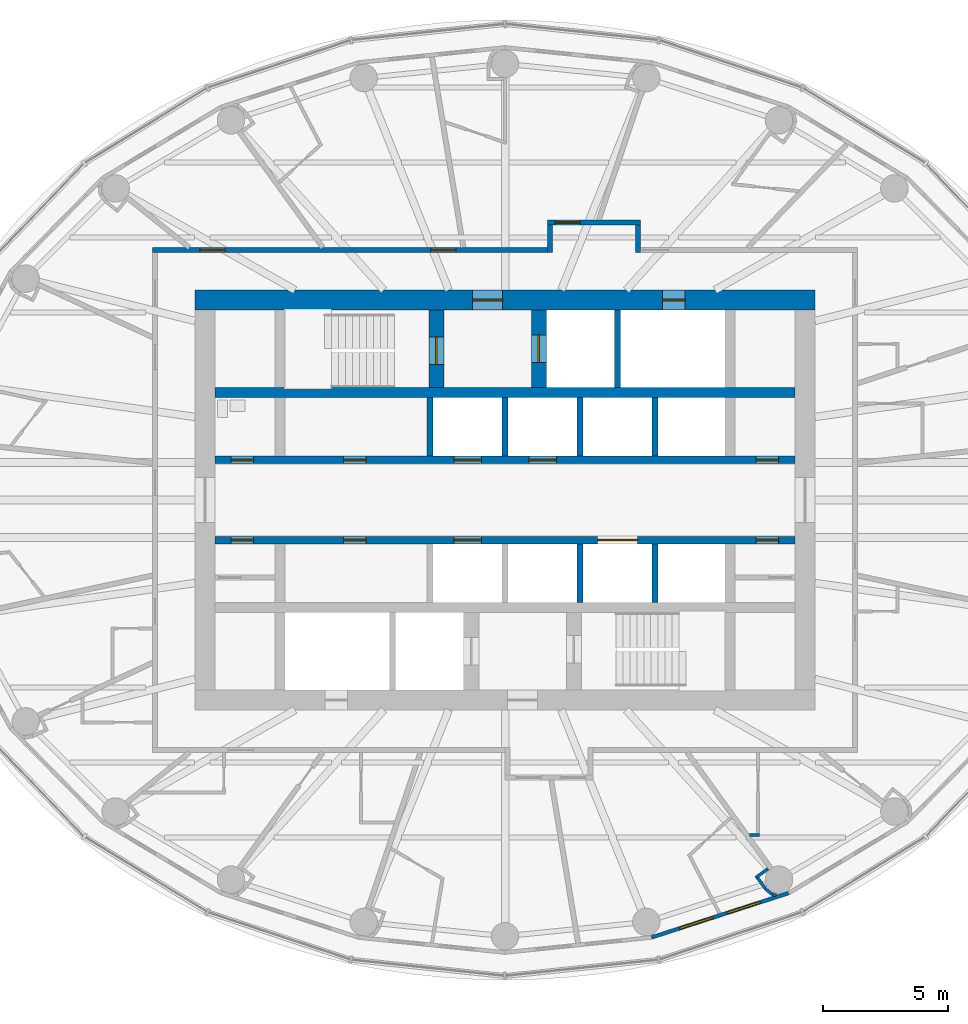
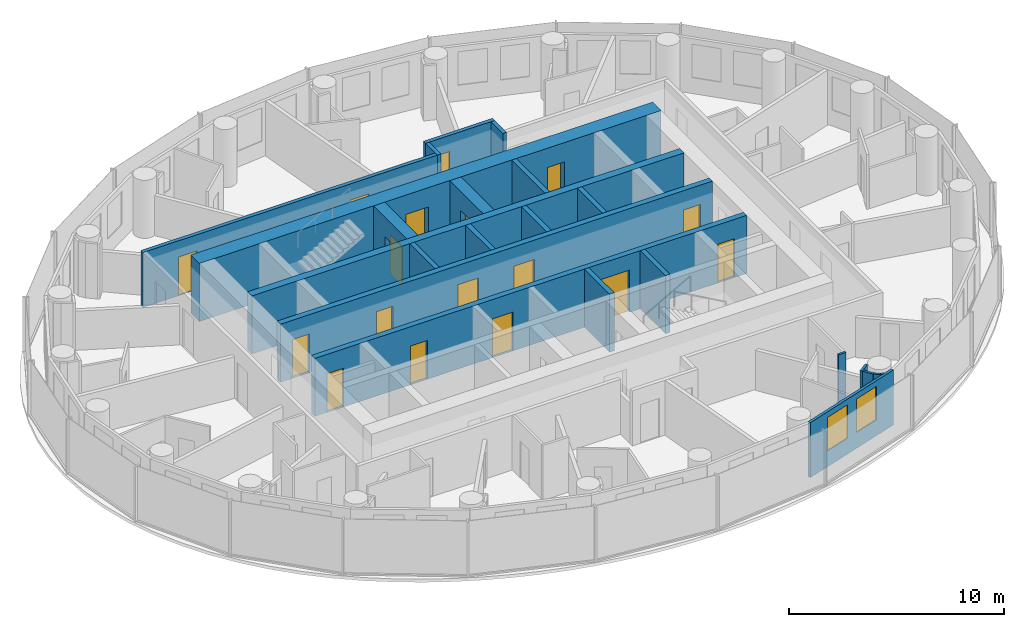
# One storey, part 9 of 14: 23 walls, 17 doors, 2 windows, 19 openings.
"""IFC4 building model written with IfcOpenShell, lengths in metres."""

from ifc_helpers import new_model, si_unit, direction, frame, frame_2d, origin, place, context, subcontext, project, spatial, rectangle, extrude, material, layer, layer_set, type_object, element, fill, save


model = new_model("IFC4")

# Units and contexts
model_context = context("Model", 3, precision=1e-05, world=origin(), true_north=direction((0.0, 1.0)))
body_context = subcontext(model_context, "Body", "Model", "MODEL_VIEW")
ifc_project = project(units=[si_unit("LENGTHUNIT", "METRE"), si_unit("AREAUNIT", "SQUARE_METRE"), si_unit("VOLUMEUNIT", "CUBIC_METRE"), si_unit("PLANEANGLEUNIT", "RADIAN"), si_unit("MASSUNIT", "GRAM", prefix="KILO")], contexts=[model_context])

# Site, building, storey
site_placement = place(None, origin())
site = spatial("IfcSite", under=ifc_project, at=site_placement, CompositionType="ELEMENT")
building_placement = place(site_placement, origin())
building = spatial("IfcBuilding", under=site, at=building_placement, Name="Hankou Lantern Tower", CompositionType="ELEMENT")
storey_placement = place(building_placement, frame((0.0, 0.0, 179.699951171875)))
storey = spatial("IfcBuildingStorey", under=building, at=storey_placement, Name="L48", CompositionType="ELEMENT", Elevation=179.699951171875)

# Wall, openings, doors
ifc_material_1 = material(Name="Concrete C60", Category="concrete")
ifc_layer_1 = layer(ifc_material_1, 0.800048828125)
ifc_layer_set_1 = layer_set([ifc_layer_1], Name="Concrete C60")
wall_type_1 = type_object("IfcWallType", Name="CW2 CORE WALL 800", PredefinedType="SHEAR", material=ifc_layer_set_1)
wall_1_placement = place(storey_placement, frame((-12.39990234375, 8.0, 0.0), z_axis=(0.0, 0.0, 1.0), x_axis=(1.0, 0.0, 0.0)))
wall_1 = element("IfcWall", 1, at=wall_1_placement, inside=storey, type_object=wall_type_1, Name="Core wall north L48", PredefinedType="SHEAR", context=body_context, shape_type="SweptSolid", body=[
    extrude(rectangle(XDim=24.7998046875, YDim=0.800048828125, at=frame_2d((12.39990234375, 0.0))), origin(), (0.0, 0.0, 1.0), 3.300048828125),
])
opening_1_placement = place(wall_1_placement, frame((11.10009765625, 0.0, 0.0)))
opening_1 = element("IfcOpeningElement", 2, at=opening_1_placement, cuts=wall_1, Name="Opening D5", PredefinedType="OPENING", context=body_context, shape_type="SweptSolid", body=[
    extrude(rectangle(XDim=1.199951171875, YDim=2.199951171875, at=frame_2d((0.60009765625, 1.10009765625))), frame((0.0, 0.409912109375, 0.0), z_axis=(0.0, -1.0, 0.0), x_axis=(1.0, 0.0, 0.0)), (0.0, 0.0, 1.0), 0.820068359375),
])
opening_2_placement = place(wall_1_placement, frame((18.699951171875, 0.0, 0.0)))
opening_2 = element("IfcOpeningElement", 3, at=opening_2_placement, cuts=wall_1, Name="Opening D7", PredefinedType="OPENING", context=body_context, shape_type="SweptSolid", body=[
    extrude(rectangle(XDim=0.89990234375, YDim=2.199951171875, at=frame_2d((0.449951171875, 1.10009765625))), frame((0.0, 0.409912109375, 0.0), z_axis=(0.0, -1.0, 0.0), x_axis=(1.0, 0.0, 0.0)), (0.0, 0.0, 1.0), 0.820068359375),
])
ifc_material_2 = material(Name="Steel door leaf", Category="steel")
door_type_1 = type_object("IfcDoorType", Name="D5 STAIR LOBBY DOOR 1200X2200", OperationType="SINGLE_SWING_LEFT", PredefinedType="DOOR", material=ifc_material_2)
door_1_placement = place(opening_1_placement, origin())
door_1 = element("IfcDoor", 4, at=door_1_placement, inside=storey, type_object=door_type_1, Name="Stair A lobby door", OperationType="SINGLE_SWING_LEFT", OverallHeight=2.199951171875, OverallWidth=1.199951171875, PredefinedType="DOOR", context=body_context, shape_type="SweptSolid", body=[
    extrude(rectangle(XDim=1.199951171875, YDim=2.199951171875, at=frame_2d((0.60009765625, 1.10009765625))), frame((0.0, 0.02490234375, 0.0), z_axis=(0.0, -1.0, 0.0), x_axis=(1.0, 0.0, 0.0)), (0.0, 0.0, 1.0), 0.050048828125),
])
fill(opening_1, door_1)
ifc_material_3 = material(Name="Steel door leaf", Category="steel")
door_type_2 = type_object("IfcDoorType", Name="D7 RISER DOOR 900X2200", OperationType="SINGLE_SWING_LEFT", PredefinedType="DOOR", material=ifc_material_3)
door_2_placement = place(opening_2_placement, origin())
door_2 = element("IfcDoor", 5, at=door_2_placement, inside=storey, type_object=door_type_2, Name="Riser N1 door", OperationType="SINGLE_SWING_RIGHT", OverallHeight=2.199951171875, OverallWidth=0.89990234375, PredefinedType="DOOR", context=body_context, shape_type="SweptSolid", body=[
    extrude(rectangle(XDim=0.89990234375, YDim=2.199951171875, at=frame_2d((0.449951171875, 1.10009765625))), frame((0.0, 0.02490234375, 0.0), z_axis=(0.0, -1.0, 0.0), x_axis=(1.0, 0.0, 0.0)), (0.0, 0.0, 1.0), 0.050048828125),
])
fill(opening_2, door_2)

# Wall
ifc_material_4 = material(Name="Concrete C60", Category="concrete")
ifc_layer_2 = layer(ifc_material_4, 0.39990234375)
ifc_layer_set_2 = layer_set([ifc_layer_2], Name="Concrete C60")
wall_type_2 = type_object("IfcWallType", Name="CW4 CORE CROSS WALL 400", PredefinedType="SHEAR", material=ifc_layer_set_2)
wall_2_placement = place(storey_placement, frame((-11.60009765625, 4.300048828125, 0.0), z_axis=(0.0, 0.0, 1.0), x_axis=(1.0, 0.0, 0.0)))
element("IfcWall", 6, at=wall_2_placement, inside=storey, type_object=wall_type_2, Name="Core band wall north L48", PredefinedType="SHEAR", context=body_context, shape_type="SweptSolid", body=[
    extrude(rectangle(XDim=23.2001953125, YDim=0.39990234375, at=frame_2d((11.60009765625, 0.0))), origin(), (0.0, 0.0, 1.0), 3.300048828125),
])

# Wall, openings, doors
ifc_material_5 = material(Name="Concrete C60", Category="concrete")
ifc_layer_3 = layer(ifc_material_5, 0.300048828125)
ifc_layer_set_3 = layer_set([ifc_layer_3], Name="Concrete C60")
wall_type_3 = type_object("IfcWallType", Name="CW5 LIFT LOBBY WALL 300", PredefinedType="SHEAR", material=ifc_layer_set_3)
wall_3_placement = place(storey_placement, frame((-11.60009765625, 1.60009765625, 0.0), z_axis=(0.0, 0.0, 1.0), x_axis=(1.0, 0.0, 0.0)))
wall_3 = element("IfcWall", 7, at=wall_3_placement, inside=storey, type_object=wall_type_3, Name="Lift lobby wall north L48", PredefinedType="SHEAR", context=body_context, shape_type="SweptSolid", body=[
    extrude(rectangle(XDim=23.2001953125, YDim=0.300048828125, at=frame_2d((11.60009765625, 0.0))), origin(), (0.0, 0.0, 1.0), 3.300048828125),
])
opening_3_placement = place(wall_3_placement, frame((9.550048828125, 0.0, 0.0)))
opening_3 = element("IfcOpeningElement", 8, at=opening_3_placement, cuts=wall_3, Name="Opening LD1", PredefinedType="OPENING", context=body_context, shape_type="SweptSolid", body=[
    extrude(rectangle(XDim=1.10009765625, YDim=2.199951171875, at=frame_2d((0.550048828125, 1.10009765625))), frame((0.0, 0.159912109375, 0.0), z_axis=(0.0, -1.0, 0.0), x_axis=(1.0, 0.0, 0.0)), (0.0, 0.0, 1.0), 0.320068359375),
])
opening_4_placement = place(wall_3_placement, frame((12.550048828125, 0.0, 0.0)))
opening_4 = element("IfcOpeningElement", 9, at=opening_4_placement, cuts=wall_3, Name="Opening LD1", PredefinedType="OPENING", context=body_context, shape_type="SweptSolid", body=[
    extrude(rectangle(XDim=1.10009765625, YDim=2.199951171875, at=frame_2d((0.550048828125, 1.10009765625))), frame((0.0, 0.159912109375, 0.0), z_axis=(0.0, -1.0, 0.0), x_axis=(1.0, 0.0, 0.0)), (0.0, 0.0, 1.0), 0.320068359375),
])
opening_5_placement = place(wall_3_placement, frame((0.64990234375, 0.0, 0.0)))
opening_5 = element("IfcOpeningElement", 10, at=opening_5_placement, cuts=wall_3, Name="Opening D30", PredefinedType="OPENING", context=body_context, shape_type="SweptSolid", body=[
    extrude(rectangle(XDim=0.89990234375, YDim=2.199951171875, at=frame_2d((0.449951171875, 1.10009765625))), frame((0.0, 0.159912109375, 0.0), z_axis=(0.0, -1.0, 0.0), x_axis=(1.0, 0.0, 0.0)), (0.0, 0.0, 1.0), 0.320068359375),
])
opening_6_placement = place(wall_3_placement, frame((5.14990234375, 0.0, 0.0)))
opening_6 = element("IfcOpeningElement", 11, at=opening_6_placement, cuts=wall_3, Name="Opening D30", PredefinedType="OPENING", context=body_context, shape_type="SweptSolid", body=[
    extrude(rectangle(XDim=0.89990234375, YDim=2.199951171875, at=frame_2d((0.449951171875, 1.10009765625))), frame((0.0, 0.159912109375, 0.0), z_axis=(0.0, -1.0, 0.0), x_axis=(1.0, 0.0, 0.0)), (0.0, 0.0, 1.0), 0.320068359375),
])
opening_7_placement = place(wall_3_placement, frame((21.64990234375, 0.0, 0.0)))
opening_7 = element("IfcOpeningElement", 12, at=opening_7_placement, cuts=wall_3, Name="Opening D30", PredefinedType="OPENING", context=body_context, shape_type="SweptSolid", body=[
    extrude(rectangle(XDim=0.89990234375, YDim=2.199951171875, at=frame_2d((0.449951171875, 1.10009765625))), frame((0.0, 0.159912109375, 0.0), z_axis=(0.0, -1.0, 0.0), x_axis=(1.0, 0.0, 0.0)), (0.0, 0.0, 1.0), 0.320068359375),
])
ifc_material_6 = material(Name="Steel door leaf", Category="steel")
door_type_3 = type_object("IfcDoorType", Name="D30 CORE ROOM DOOR 900X2200", OperationType="SINGLE_SWING_LEFT", PredefinedType="DOOR", material=ifc_material_6)
door_3_placement = place(opening_5_placement, origin())
door_3 = element("IfcDoor", 13, at=door_3_placement, inside=storey, type_object=door_type_3, Name="Accessible staff WC door", OperationType="SINGLE_SWING_LEFT", OverallHeight=2.199951171875, OverallWidth=0.89990234375, PredefinedType="DOOR", context=body_context, shape_type="SweptSolid", body=[
    extrude(rectangle(XDim=0.89990234375, YDim=2.199951171875, at=frame_2d((0.449951171875, 1.10009765625))), frame((0.0, 0.02490234375, 0.0), z_axis=(0.0, -1.0, 0.0), x_axis=(1.0, 0.0, 0.0)), (0.0, 0.0, 1.0), 0.050048828125),
])
fill(opening_5, door_3)
door_4_placement = place(opening_6_placement, origin())
door_4 = element("IfcDoor", 14, at=door_4_placement, inside=storey, type_object=door_type_3, Name="Housekeeping and linen store door", OperationType="SINGLE_SWING_LEFT", OverallHeight=2.199951171875, OverallWidth=0.89990234375, PredefinedType="DOOR", context=body_context, shape_type="SweptSolid", body=[
    extrude(rectangle(XDim=0.89990234375, YDim=2.199951171875, at=frame_2d((0.449951171875, 1.10009765625))), frame((0.0, 0.02490234375, 0.0), z_axis=(0.0, -1.0, 0.0), x_axis=(1.0, 0.0, 0.0)), (0.0, 0.0, 1.0), 0.050048828125),
])
fill(opening_6, door_4)
door_5_placement = place(opening_7_placement, origin())
door_5 = element("IfcDoor", 15, at=door_5_placement, inside=storey, type_object=door_type_3, Name="IT and telecoms room door", OperationType="SINGLE_SWING_RIGHT", OverallHeight=2.199951171875, OverallWidth=0.89990234375, PredefinedType="DOOR", context=body_context, shape_type="SweptSolid", body=[
    extrude(rectangle(XDim=0.89990234375, YDim=2.199951171875, at=frame_2d((0.449951171875, 1.10009765625))), frame((0.0, 0.02490234375, 0.0), z_axis=(0.0, -1.0, 0.0), x_axis=(1.0, 0.0, 0.0)), (0.0, 0.0, 1.0), 0.050048828125),
])
fill(opening_7, door_5)
ifc_material_7 = material(Name="Steel door leaf", Category="steel")
door_type_4 = type_object("IfcDoorType", Name="LD1 LIFT LANDING DOOR 1100X2200", OperationType="DOUBLE_DOOR_SLIDING", PredefinedType="DOOR", material=ifc_material_7)
door_6_placement = place(opening_3_placement, origin())
door_6 = element("IfcDoor", 16, at=door_6_placement, inside=storey, type_object=door_type_4, Name="Lift H1 landing door", OperationType="DOUBLE_DOOR_SLIDING", OverallHeight=2.199951171875, OverallWidth=1.10009765625, PredefinedType="DOOR", context=body_context, shape_type="SweptSolid", body=[
    extrude(rectangle(XDim=1.10009765625, YDim=2.199951171875, at=frame_2d((0.550048828125, 1.10009765625))), frame((0.0, 0.02490234375, 0.0), z_axis=(0.0, -1.0, 0.0), x_axis=(1.0, 0.0, 0.0)), (0.0, 0.0, 1.0), 0.050048828125),
])
fill(opening_3, door_6)
door_7_placement = place(opening_4_placement, origin())
door_7 = element("IfcDoor", 17, at=door_7_placement, inside=storey, type_object=door_type_4, Name="Lift H2 landing door", OperationType="DOUBLE_DOOR_SLIDING", OverallHeight=2.199951171875, OverallWidth=1.10009765625, PredefinedType="DOOR", context=body_context, shape_type="SweptSolid", body=[
    extrude(rectangle(XDim=1.10009765625, YDim=2.199951171875, at=frame_2d((0.550048828125, 1.10009765625))), frame((0.0, 0.02490234375, 0.0), z_axis=(0.0, -1.0, 0.0), x_axis=(1.0, 0.0, 0.0)), (0.0, 0.0, 1.0), 0.050048828125),
])
fill(opening_4, door_7)

wall_4_placement = place(storey_placement, frame((-11.60009765625, -1.60009765625, 0.0), z_axis=(0.0, 0.0, 1.0), x_axis=(1.0, 0.0, 0.0)))
wall_4 = element("IfcWall", 18, at=wall_4_placement, inside=storey, type_object=wall_type_3, Name="Lift lobby wall south L48", PredefinedType="SHEAR", context=body_context, shape_type="SweptSolid", body=[
    extrude(rectangle(XDim=23.2001953125, YDim=0.300048828125, at=frame_2d((11.60009765625, 0.0))), origin(), (0.0, 0.0, 1.0), 3.300048828125),
])
opening_8_placement = place(wall_4_placement, frame((9.550048828125, 0.0, 0.0)))
opening_8 = element("IfcOpeningElement", 19, at=opening_8_placement, cuts=wall_4, Name="Opening LD1", PredefinedType="OPENING", context=body_context, shape_type="SweptSolid", body=[
    extrude(rectangle(XDim=1.10009765625, YDim=2.199951171875, at=frame_2d((0.550048828125, 1.10009765625))), frame((0.0, 0.159912109375, 0.0), z_axis=(0.0, -1.0, 0.0), x_axis=(1.0, 0.0, 0.0)), (0.0, 0.0, 1.0), 0.320068359375),
])
opening_9_placement = place(wall_4_placement, frame((15.300048828125, 0.0, 0.0)))
opening_9 = element("IfcOpeningElement", 20, at=opening_9_placement, cuts=wall_4, Name="Opening LD4", PredefinedType="OPENING", context=body_context, shape_type="SweptSolid", body=[
    extrude(rectangle(XDim=1.60009765625, YDim=2.39990234375, at=frame_2d((0.800048828125, 1.199951171875))), frame((0.0, 0.159912109375, 0.0), z_axis=(0.0, -1.0, 0.0), x_axis=(1.0, 0.0, 0.0)), (0.0, 0.0, 1.0), 0.320068359375),
])
opening_10_placement = place(wall_4_placement, frame((0.64990234375, 0.0, 0.0)))
opening_10 = element("IfcOpeningElement", 21, at=opening_10_placement, cuts=wall_4, Name="Opening D30", PredefinedType="OPENING", context=body_context, shape_type="SweptSolid", body=[
    extrude(rectangle(XDim=0.89990234375, YDim=2.199951171875, at=frame_2d((0.449951171875, 1.10009765625))), frame((0.0, 0.159912109375, 0.0), z_axis=(0.0, -1.0, 0.0), x_axis=(1.0, 0.0, 0.0)), (0.0, 0.0, 1.0), 0.320068359375),
])
opening_11_placement = place(wall_4_placement, frame((5.14990234375, 0.0, 0.0)))
opening_11 = element("IfcOpeningElement", 22, at=opening_11_placement, cuts=wall_4, Name="Opening D30", PredefinedType="OPENING", context=body_context, shape_type="SweptSolid", body=[
    extrude(rectangle(XDim=0.89990234375, YDim=2.199951171875, at=frame_2d((0.449951171875, 1.10009765625))), frame((0.0, 0.159912109375, 0.0), z_axis=(0.0, -1.0, 0.0), x_axis=(1.0, 0.0, 0.0)), (0.0, 0.0, 1.0), 0.320068359375),
])
opening_12_placement = place(wall_4_placement, frame((21.64990234375, 0.0, 0.0)))
opening_12 = element("IfcOpeningElement", 23, at=opening_12_placement, cuts=wall_4, Name="Opening D30", PredefinedType="OPENING", context=body_context, shape_type="SweptSolid", body=[
    extrude(rectangle(XDim=0.89990234375, YDim=2.199951171875, at=frame_2d((0.449951171875, 1.10009765625))), frame((0.0, 0.159912109375, 0.0), z_axis=(0.0, -1.0, 0.0), x_axis=(1.0, 0.0, 0.0)), (0.0, 0.0, 1.0), 0.320068359375),
])
door_8_placement = place(opening_10_placement, origin())
door_8 = element("IfcDoor", 24, at=door_8_placement, inside=storey, type_object=door_type_3, Name="Engineering store door", OperationType="SINGLE_SWING_LEFT", OverallHeight=2.199951171875, OverallWidth=0.89990234375, PredefinedType="DOOR", context=body_context, shape_type="SweptSolid", body=[
    extrude(rectangle(XDim=0.89990234375, YDim=2.199951171875, at=frame_2d((0.449951171875, 1.10009765625))), frame((0.0, 0.02490234375, 0.0), z_axis=(0.0, -1.0, 0.0), x_axis=(1.0, 0.0, 0.0)), (0.0, 0.0, 1.0), 0.050048828125),
])
fill(opening_10, door_8)
door_9_placement = place(opening_11_placement, origin())
door_9 = element("IfcDoor", 25, at=door_9_placement, inside=storey, type_object=door_type_3, Name="Cleaner's store door", OperationType="SINGLE_SWING_LEFT", OverallHeight=2.199951171875, OverallWidth=0.89990234375, PredefinedType="DOOR", context=body_context, shape_type="SweptSolid", body=[
    extrude(rectangle(XDim=0.89990234375, YDim=2.199951171875, at=frame_2d((0.449951171875, 1.10009765625))), frame((0.0, 0.02490234375, 0.0), z_axis=(0.0, -1.0, 0.0), x_axis=(1.0, 0.0, 0.0)), (0.0, 0.0, 1.0), 0.050048828125),
])
fill(opening_11, door_9)
door_10_placement = place(opening_12_placement, origin())
door_10 = element("IfcDoor", 26, at=door_10_placement, inside=storey, type_object=door_type_3, Name="Minibar store door", OperationType="SINGLE_SWING_RIGHT", OverallHeight=2.199951171875, OverallWidth=0.89990234375, PredefinedType="DOOR", context=body_context, shape_type="SweptSolid", body=[
    extrude(rectangle(XDim=0.89990234375, YDim=2.199951171875, at=frame_2d((0.449951171875, 1.10009765625))), frame((0.0, 0.02490234375, 0.0), z_axis=(0.0, -1.0, 0.0), x_axis=(1.0, 0.0, 0.0)), (0.0, 0.0, 1.0), 0.050048828125),
])
fill(opening_12, door_10)
door_11_placement = place(opening_8_placement, origin())
door_11 = element("IfcDoor", 27, at=door_11_placement, inside=storey, type_object=door_type_4, Name="Lift H3 landing door", OperationType="DOUBLE_DOOR_SLIDING", OverallHeight=2.199951171875, OverallWidth=1.10009765625, PredefinedType="DOOR", context=body_context, shape_type="SweptSolid", body=[
    extrude(rectangle(XDim=1.10009765625, YDim=2.199951171875, at=frame_2d((0.550048828125, 1.10009765625))), frame((0.0, 0.02490234375, 0.0), z_axis=(0.0, -1.0, 0.0), x_axis=(1.0, 0.0, 0.0)), (0.0, 0.0, 1.0), 0.050048828125),
])
fill(opening_8, door_11)
ifc_material_8 = material(Name="Steel door leaf", Category="steel")
door_type_5 = type_object("IfcDoorType", Name="LD4 SERVICE LIFT LANDING DOOR 1600X2400", OperationType="DOUBLE_DOOR_SLIDING", PredefinedType="DOOR", material=ifc_material_8)
door_12_placement = place(opening_9_placement, origin())
door_12 = element("IfcDoor", 28, at=door_12_placement, inside=storey, type_object=door_type_5, Name="Lift SV1 landing door", OperationType="DOUBLE_DOOR_SLIDING", OverallHeight=2.39990234375, OverallWidth=1.60009765625, PredefinedType="DOOR", context=body_context, shape_type="SweptSolid", body=[
    extrude(rectangle(XDim=1.60009765625, YDim=2.39990234375, at=frame_2d((0.800048828125, 1.199951171875))), frame((0.0, 0.02490234375, 0.0), z_axis=(0.0, -1.0, 0.0), x_axis=(1.0, 0.0, 0.0)), (0.0, 0.0, 1.0), 0.050048828125),
])
fill(opening_9, door_12)

# Wall, opening, door
ifc_material_9 = material(Name="Concrete C60", Category="concrete")
ifc_layer_4 = layer(ifc_material_9, 0.60009765625)
ifc_layer_set_4 = layer_set([ifc_layer_4], Name="Concrete C60")
wall_type_4 = type_object("IfcWallType", Name="CW6 STAIR AND SHAFT WALL 600", PredefinedType="SHEAR", material=ifc_layer_set_4)
wall_5_placement = place(storey_placement, frame((-2.75, 4.5, 0.0), z_axis=(0.0, 0.0, 1.0), x_axis=(0.0, 1.0, 0.0)))
wall_5 = element("IfcWall", 29, at=wall_5_placement, inside=storey, type_object=wall_type_4, Name="Stair wall L48", PredefinedType="SHEAR", context=body_context, shape_type="SweptSolid", body=[
    extrude(rectangle(XDim=3.10009765625, YDim=0.60009765625, at=frame_2d((1.550048828125, 0.0))), origin(), (0.0, 0.0, 1.0), 3.300048828125),
])
opening_13_placement = place(wall_5_placement, frame((0.925048828125, 0.0, 0.0)))
opening_13 = element("IfcOpeningElement", 30, at=opening_13_placement, cuts=wall_5, Name="Opening D4", PredefinedType="OPENING", context=body_context, shape_type="SweptSolid", body=[
    extrude(rectangle(XDim=1.10009765625, YDim=2.199951171875, at=frame_2d((0.550048828125, 1.10009765625))), frame((0.0, 0.31005859375, 0.0), z_axis=(0.0, -1.0, 0.0), x_axis=(1.0, 0.0, 0.0)), (0.0, 0.0, 1.0), 0.6201171875),
])
ifc_material_10 = material(Name="Steel door leaf", Category="steel")
door_type_6 = type_object("IfcDoorType", Name="D4 STAIR DOOR 1100X2200", OperationType="SINGLE_SWING_LEFT", PredefinedType="DOOR", material=ifc_material_10)
door_13_placement = place(opening_13_placement, origin())
door_13 = element("IfcDoor", 31, at=door_13_placement, inside=storey, type_object=door_type_6, Name="Stair A door", OperationType="SINGLE_SWING_LEFT", OverallHeight=2.199951171875, OverallWidth=1.10009765625, PredefinedType="DOOR", context=body_context, shape_type="SweptSolid", body=[
    extrude(rectangle(XDim=1.10009765625, YDim=2.199951171875, at=frame_2d((0.550048828125, 1.10009765625))), frame((0.0, 0.02490234375, 0.0), z_axis=(0.0, -1.0, 0.0), x_axis=(1.0, 0.0, 0.0)), (0.0, 0.0, 1.0), 0.050048828125),
])
fill(opening_13, door_13)

wall_6_placement = place(storey_placement, frame((1.35009765625, 4.5, 0.0), z_axis=(0.0, 0.0, 1.0), x_axis=(0.0, 1.0, 0.0)))
wall_6 = element("IfcWall", 32, at=wall_6_placement, inside=storey, type_object=wall_type_4, Name="Firefighting lift shaft wall L48", PredefinedType="SHEAR", context=body_context, shape_type="SweptSolid", body=[
    extrude(rectangle(XDim=3.10009765625, YDim=0.60009765625, at=frame_2d((1.550048828125, 0.0))), origin(), (0.0, 0.0, 1.0), 3.300048828125),
])
opening_14_placement = place(wall_6_placement, frame((1.0, 0.0, 0.0)))
opening_14 = element("IfcOpeningElement", 33, at=opening_14_placement, cuts=wall_6, Name="Opening LD2", PredefinedType="OPENING", context=body_context, shape_type="SweptSolid", body=[
    extrude(rectangle(XDim=1.10009765625, YDim=2.199951171875, at=frame_2d((0.550048828125, 1.10009765625))), frame((0.0, 0.31005859375, 0.0), z_axis=(0.0, -1.0, 0.0), x_axis=(1.0, 0.0, 0.0)), (0.0, 0.0, 1.0), 0.6201171875),
])
ifc_material_11 = material(Name="Steel door leaf", Category="steel")
door_type_7 = type_object("IfcDoorType", Name="LD2 FIREFIGHTING LIFT LANDING DOOR 1100X2200", OperationType="DOUBLE_DOOR_SLIDING", PredefinedType="DOOR", material=ifc_material_11)
door_14_placement = place(opening_14_placement, origin())
door_14 = element("IfcDoor", 34, at=door_14_placement, inside=storey, type_object=door_type_7, Name="Firefighting lift FL1 landing door", OperationType="DOUBLE_DOOR_SLIDING", OverallHeight=2.199951171875, OverallWidth=1.10009765625, PredefinedType="DOOR", context=body_context, shape_type="SweptSolid", body=[
    extrude(rectangle(XDim=1.10009765625, YDim=2.199951171875, at=frame_2d((0.550048828125, 1.10009765625))), frame((0.0, 0.02490234375, 0.0), z_axis=(0.0, -1.0, 0.0), x_axis=(1.0, 0.0, 0.0)), (0.0, 0.0, 1.0), 0.050048828125),
])
fill(opening_14, door_14)

# Wall, openings, windows
ifc_material_12 = material(Name="Aluminium spandrel panel on steel studs", Category="steel")
ifc_layer_5 = layer(ifc_material_12, 0.14990234375)
ifc_layer_set_5 = layer_set([ifc_layer_5], Name="Aluminium spandrel panel on steel studs")
wall_type_5 = type_object("IfcWallType", Name="EW1 INNER SKIN WALL 150", PredefinedType="ELEMENTEDWALL", material=ifc_layer_set_5)
wall_7_placement = place(storey_placement, frame((5.8603515625, -17.497314453125, 0.0), z_axis=(0.0, 0.0, 1.0), x_axis=(0.951432482129, 0.307857486429, 0.0)))
wall_7 = element("IfcWall", 35, at=wall_7_placement, inside=storey, type_object=wall_type_5, Name="Inner skin R20-R21 L48", PredefinedType="ELEMENTEDWALL", context=body_context, shape_type="SweptSolid", body=[
    extrude(rectangle(XDim=5.76611328125, YDim=0.14990234375, at=frame_2d((2.883056640625, 0.0))), origin(), (0.0, 0.0, 1.0), 3.1201171875),
])
opening_15_placement = place(wall_7_placement, frame((1.18310546875, 0.0, 0.89990234375)))
opening_15 = element("IfcOpeningElement", 36, at=opening_15_placement, cuts=wall_7, Name="Opening W3", PredefinedType="OPENING", context=body_context, shape_type="SweptSolid", body=[
    extrude(rectangle(XDim=1.39990234375, YDim=1.89990234375, at=frame_2d((0.699951171875, 0.949951171875))), frame((0.0, 0.0849609375, 0.0), z_axis=(0.0, -1.0, 0.0), x_axis=(1.0, 0.0, 0.0)), (0.0, 0.0, 1.0), 0.169921875),
])
opening_16_placement = place(wall_7_placement, frame((3.18310546875, 0.0, 0.89990234375)))
opening_16 = element("IfcOpeningElement", 37, at=opening_16_placement, cuts=wall_7, Name="Opening W3", PredefinedType="OPENING", context=body_context, shape_type="SweptSolid", body=[
    extrude(rectangle(XDim=1.39990234375, YDim=1.89990234375, at=frame_2d((0.699951171875, 0.949951171875))), frame((0.0, 0.0849609375, 0.0), z_axis=(0.0, -1.0, 0.0), x_axis=(1.0, 0.0, 0.0)), (0.0, 0.0, 1.0), 0.169921875),
])
ifc_material_13 = material(Name="Aluminium framed double glazed window", Category="aluminium")
window_type = type_object("IfcWindowType", Name="W3 GUEST ROOM WINDOW 1400X1900", PartitioningType="DOUBLE_PANEL_VERTICAL", PredefinedType="WINDOW", material=ifc_material_13)
window_1_placement = place(opening_15_placement, origin())
window_1 = element("IfcWindow", 38, at=window_1_placement, inside=storey, type_object=window_type, Name="Window R20.1 L48", OverallHeight=1.89990234375, OverallWidth=1.39990234375, PartitioningType="SINGLE_PANEL", PredefinedType="WINDOW", context=body_context, shape_type="SweptSolid", body=[
    extrude(rectangle(XDim=1.39990234375, YDim=1.89990234375, at=frame_2d((0.699951171875, 0.949951171875))), frame((0.0, 0.030029296875, 0.0), z_axis=(0.0, -1.0, 0.0), x_axis=(1.0, 0.0, 0.0)), (0.0, 0.0, 1.0), 0.06005859375),
])
fill(opening_15, window_1)
window_2_placement = place(opening_16_placement, origin())
window_2 = element("IfcWindow", 39, at=window_2_placement, inside=storey, type_object=window_type, Name="Window R20.2 L48", OverallHeight=1.89990234375, OverallWidth=1.39990234375, PartitioningType="SINGLE_PANEL", PredefinedType="WINDOW", context=body_context, shape_type="SweptSolid", body=[
    extrude(rectangle(XDim=1.39990234375, YDim=1.89990234375, at=frame_2d((0.699951171875, 0.949951171875))), frame((0.0, 0.030029296875, 0.0), z_axis=(0.0, -1.0, 0.0), x_axis=(1.0, 0.0, 0.0)), (0.0, 0.0, 1.0), 0.06005859375),
])
fill(opening_16, window_2)

# Wall, opening, door
ifc_material_14 = material(Name="Masonry lightweight concrete block", Category="masonry")
ifc_layer_6 = layer(ifc_material_14, 0.199951171875)
ifc_layer_set_6 = layer_set([ifc_layer_6], Name="Masonry lightweight concrete block")
wall_type_6 = type_object("IfcWallType", Name="IW2 CORRIDOR WALL 200", PredefinedType="PARTITIONING", material=ifc_layer_set_6)
wall_8_placement = place(storey_placement, frame((1.70751953125, 11.10009765625, 0.0), z_axis=(0.0, 0.0, 1.0), x_axis=(1.0, 0.0, 0.0)))
wall_8 = element("IfcWall", 40, at=wall_8_placement, inside=storey, type_object=wall_type_6, Name="Corridor alcove wall 4808-4809 back", PredefinedType="PARTITIONING", context=body_context, shape_type="SweptSolid", body=[
    extrude(rectangle(XDim=3.71923828125, YDim=0.199951171875, at=frame_2d((1.859619140625, 0.0))), origin(), (0.0, 0.0, 1.0), 3.1201171875),
])
opening_17_placement = place(wall_8_placement, frame((0.300048828125, 0.0, 0.0)))
opening_17 = element("IfcOpeningElement", 41, at=opening_17_placement, cuts=wall_8, Name="Opening D1", PredefinedType="OPENING", context=body_context, shape_type="SweptSolid", body=[
    extrude(rectangle(XDim=1.0, YDim=2.199951171875, at=frame_2d((0.5, 1.10009765625))), frame((0.0, 0.10986328125, 0.0), z_axis=(0.0, -1.0, 0.0), x_axis=(1.0, 0.0, 0.0)), (0.0, 0.0, 1.0), 0.219970703125),
])
ifc_material_15 = material(Name="Steel door leaf", Category="steel")
door_type_8 = type_object("IfcDoorType", Name="D1 GUEST ROOM DOOR 1000X2200", OperationType="SINGLE_SWING_LEFT", PredefinedType="DOOR", material=ifc_material_15)
door_15_placement = place(opening_17_placement, origin())
door_15 = element("IfcDoor", 42, at=door_15_placement, inside=storey, type_object=door_type_8, Name="Guest room door 4809", OperationType="SINGLE_SWING_RIGHT", OverallHeight=2.199951171875, OverallWidth=1.0, PredefinedType="DOOR", context=body_context, shape_type="SweptSolid", body=[
    extrude(rectangle(XDim=1.0, YDim=2.199951171875, at=frame_2d((0.5, 1.10009765625))), frame((0.0, 0.02490234375, 0.0), z_axis=(0.0, -1.0, 0.0), x_axis=(1.0, 0.0, 0.0)), (0.0, 0.0, 1.0), 0.050048828125),
])
fill(opening_17, door_15)

# Walls
for number, where, z_axis, x_axis, name in (
    (43, (1.807373046875, 9.89990234375, 0.0), (0.0, 0.0, 1.0), (0.0, 1.0, 0.0), "Corridor alcove wall 4808-4809 left"),
    (44, (5.32666015625, 9.89990234375, 0.0), (0.0, 0.0, 1.0), (0.0, 1.0, 0.0), "Corridor alcove wall 4808-4809 right"),
):
    element("IfcWall", number, at=place(storey_placement, frame(where, z_axis=z_axis, x_axis=x_axis)), inside=storey, type_object=wall_type_6, Name=name, PredefinedType="PARTITIONING", context=body_context, shape_type="SweptSolid", body=[
        extrude(rectangle(XDim=1.10009765625, YDim=0.199951171875, at=frame_2d((0.550048828125, 0.0))), origin(), (0.0, 0.0, 1.0), 3.1201171875),
    ])

# Wall, openings, doors
wall_9_placement = place(storey_placement, frame((-14.10009765625, 10.0, 0.0), z_axis=(0.0, 0.0, 1.0), x_axis=(1.0, 0.0, 0.0)))
wall_9 = element("IfcWall", 45, at=wall_9_placement, inside=storey, type_object=wall_type_6, Name="Corridor wall north", PredefinedType="PARTITIONING", context=body_context, shape_type="SweptSolid", body=[
    extrude(rectangle(XDim=15.8076171875, YDim=0.199951171875, at=frame_2d((7.90380859375, 0.0))), origin(), (0.0, 0.0, 1.0), 3.1201171875),
])
opening_18_placement = place(wall_9_placement, frame((11.134521484375, 0.0, 0.0)))
opening_18 = element("IfcOpeningElement", 46, at=opening_18_placement, cuts=wall_9, Name="Opening D1", PredefinedType="OPENING", context=body_context, shape_type="SweptSolid", body=[
    extrude(rectangle(XDim=1.0, YDim=2.199951171875, at=frame_2d((0.5, 1.10009765625))), frame((0.0, 0.10986328125, 0.0), z_axis=(0.0, -1.0, 0.0), x_axis=(1.0, 0.0, 0.0)), (0.0, 0.0, 1.0), 0.219970703125),
])
opening_19_placement = place(wall_9_placement, frame((1.89501953125, 0.0, 0.0)))
opening_19 = element("IfcOpeningElement", 47, at=opening_19_placement, cuts=wall_9, Name="Opening D28", PredefinedType="OPENING", context=body_context, shape_type="SweptSolid", body=[
    extrude(rectangle(XDim=1.0, YDim=2.199951171875, at=frame_2d((0.5, 1.10009765625))), frame((0.0, 0.10986328125, 0.0), z_axis=(0.0, -1.0, 0.0), x_axis=(1.0, 0.0, 0.0)), (0.0, 0.0, 1.0), 0.219970703125),
])
door_16_placement = place(opening_18_placement, origin())
door_16 = element("IfcDoor", 48, at=door_16_placement, inside=storey, type_object=door_type_8, Name="Guest room door 4810", OperationType="SINGLE_SWING_RIGHT", OverallHeight=2.199951171875, OverallWidth=1.0, PredefinedType="DOOR", context=body_context, shape_type="SweptSolid", body=[
    extrude(rectangle(XDim=1.0, YDim=2.199951171875, at=frame_2d((0.5, 1.10009765625))), frame((0.0, 0.02490234375, 0.0), z_axis=(0.0, -1.0, 0.0), x_axis=(1.0, 0.0, 0.0)), (0.0, 0.0, 1.0), 0.050048828125),
])
fill(opening_18, door_16)
ifc_material_16 = material(Name="Steel door leaf", Category="steel")
door_type_9 = type_object("IfcDoorType", Name="D28 SERVICE DOOR 1000X2200", OperationType="SINGLE_SWING_LEFT", PredefinedType="DOOR", material=ifc_material_16)
door_17_placement = place(opening_19_placement, origin())
door_17 = element("IfcDoor", 49, at=door_17_placement, inside=storey, type_object=door_type_9, Name="Service door 4811", OperationType="SINGLE_SWING_RIGHT", OverallHeight=2.199951171875, OverallWidth=1.0, PredefinedType="DOOR", context=body_context, shape_type="SweptSolid", body=[
    extrude(rectangle(XDim=1.0, YDim=2.199951171875, at=frame_2d((0.5, 1.10009765625))), frame((0.0, 0.02490234375, 0.0), z_axis=(0.0, -1.0, 0.0), x_axis=(1.0, 0.0, 0.0)), (0.0, 0.0, 1.0), 0.050048828125),
])
fill(opening_19, door_17)

# Walls
ifc_material_17 = material(Name="Masonry lightweight concrete block", Category="masonry")
ifc_layer_7 = layer(ifc_material_17, 0.1201171875)
ifc_layer_set_7 = layer_set([ifc_layer_7], Name="Masonry lightweight concrete block")
wall_type_7 = type_object("IfcWallType", Name="IW3 BATHROOM WALL 120", PredefinedType="PARTITIONING", material=ifc_layer_set_7)
wall_10_placement = place(storey_placement, frame((10.521728515625, -14.750244140625, 0.0), z_axis=(0.0, 0.0, 1.0), x_axis=(-0.811057588427, -0.584966313777, 0.0)))
element("IfcWall", 50, at=wall_10_placement, inside=storey, type_object=wall_type_7, Name="Column casing 4804 return", PredefinedType="PARTITIONING", context=body_context, shape_type="SweptSolid", body=[
    extrude(rectangle(XDim=0.6123046875, YDim=0.1201171875, at=frame_2d((0.30615234375, 0.0))), origin(), (0.0, 0.0, 1.0), 3.1201171875),
])
wall_11_placement = place(storey_placement, frame((10.10888671875, -15.121826171875, 0.0), z_axis=(0.0, 0.0, 1.0), x_axis=(0.585344718358, -0.810784534072, 0.0)))
element("IfcWall", 51, at=wall_11_placement, inside=storey, type_object=wall_type_7, Name="Column casing 4804", PredefinedType="PARTITIONING", context=body_context, shape_type="SweptSolid", body=[
    extrude(rectangle(XDim=0.550048828125, YDim=0.1201171875, at=frame_2d((0.27490234375, 0.0))), origin(), (0.0, 0.0, 1.0), 3.1201171875),
])
wall_12_placement = place(storey_placement, frame((10.430908203125, -15.56787109375, 0.0), z_axis=(0.0, 0.0, 1.0), x_axis=(0.77505137267, -0.631898227345, 0.0)))
element("IfcWall", 52, at=wall_12_placement, inside=storey, type_object=wall_type_7, Name="Column casing 4804", PredefinedType="PARTITIONING", context=body_context, shape_type="SweptSolid", body=[
    extrude(rectangle(XDim=0.337646484375, YDim=0.1201171875, at=frame_2d((0.1689453125, 0.0))), origin(), (0.0, 0.0, 1.0), 3.1201171875),
])
wall_13_placement = place(storey_placement, frame((10.692626953125, -15.78125, 0.0), z_axis=(0.0, 0.0, 1.0), x_axis=(0.987256785332, -0.159135287777, 0.0)))
element("IfcWall", 53, at=wall_13_placement, inside=storey, type_object=wall_type_7, Name="Column casing 4804", PredefinedType="PARTITIONING", context=body_context, shape_type="SweptSolid", body=[
    extrude(rectangle(XDim=0.157958984375, YDim=0.1201171875, at=frame_2d((0.0791015625, 0.0))), origin(), (0.0, 0.0, 1.0), 3.1201171875),
])
wall_14_placement = place(storey_placement, frame((9.7705078125, -13.39990234375, 0.0), z_axis=(0.0, 0.0, 1.0), x_axis=(1.0, 0.0, 0.0)))
element("IfcWall", 54, at=wall_14_placement, inside=storey, type_object=wall_type_7, Name="Box wall 4805A 1", PredefinedType="PARTITIONING", context=body_context, shape_type="SweptSolid", body=[
    extrude(rectangle(XDim=0.408447265625, YDim=0.1201171875, at=frame_2d((0.2041015625, 0.0))), origin(), (0.0, 0.0, 1.0), 3.1201171875),
])
ifc_material_18 = material(Name="Masonry autoclaved aerated concrete block", Category="masonry")
ifc_layer_8 = layer(ifc_material_18, 0.25)
ifc_layer_set_8 = layer_set([ifc_layer_8], Name="Masonry autoclaved aerated concrete block")
wall_type_8 = type_object("IfcWallType", Name="SW1 SHAFT BLOCK WALL 250", PredefinedType="PARTITIONING", material=ifc_layer_set_8)
wall_15_placement = place(storey_placement, frame((4.5, 4.5, 0.0), z_axis=(0.0, 0.0, 1.0), x_axis=(0.0, 1.0, 0.0)))
element("IfcWall", 55, at=wall_15_placement, inside=storey, type_object=wall_type_8, Name="Riser wall L48", PredefinedType="PARTITIONING", context=body_context, shape_type="SweptSolid", body=[
    extrude(rectangle(XDim=3.10009765625, YDim=0.25, at=frame_2d((1.550048828125, 0.0))), origin(), (0.0, 0.0, 1.0), 3.300048828125),
])
for number, where, z_axis, x_axis, name in (
    (56, (-3.0, 1.75, 0.0), (0.0, 0.0, 1.0), (0.0, 1.0, 0.0), "Lift shaft wall L48"),
    (57, (0.0, 1.75, 0.0), (0.0, 0.0, 1.0), (0.0, 1.0, 0.0), "Lift shaft wall L48"),
    (58, (3.0, 1.75, 0.0), (0.0, 0.0, 1.0), (0.0, 1.0, 0.0), "Lift shaft wall L48"),
    (59, (6.0, 1.75, 0.0), (0.0, 0.0, 1.0), (0.0, 1.0, 0.0), "Lift shaft wall L48"),
    (60, (3.0, -4.10009765625, 0.0), (0.0, 0.0, 1.0), (0.0, 1.0, 0.0), "Lift shaft wall L48"),
    (61, (6.0, -4.10009765625, 0.0), (0.0, 0.0, 1.0), (0.0, 1.0, 0.0), "Lift shaft wall L48"),
):
    element("IfcWall", number, at=place(storey_placement, frame(where, z_axis=z_axis, x_axis=x_axis)), inside=storey, type_object=wall_type_8, Name=name, PredefinedType="PARTITIONING", context=body_context, shape_type="SweptSolid", body=[
        extrude(rectangle(XDim=2.35009765625, YDim=0.25, at=frame_2d((1.175048828125, 0.0))), origin(), (0.0, 0.0, 1.0), 3.300048828125),
    ])

save(model, "model.ifc")
